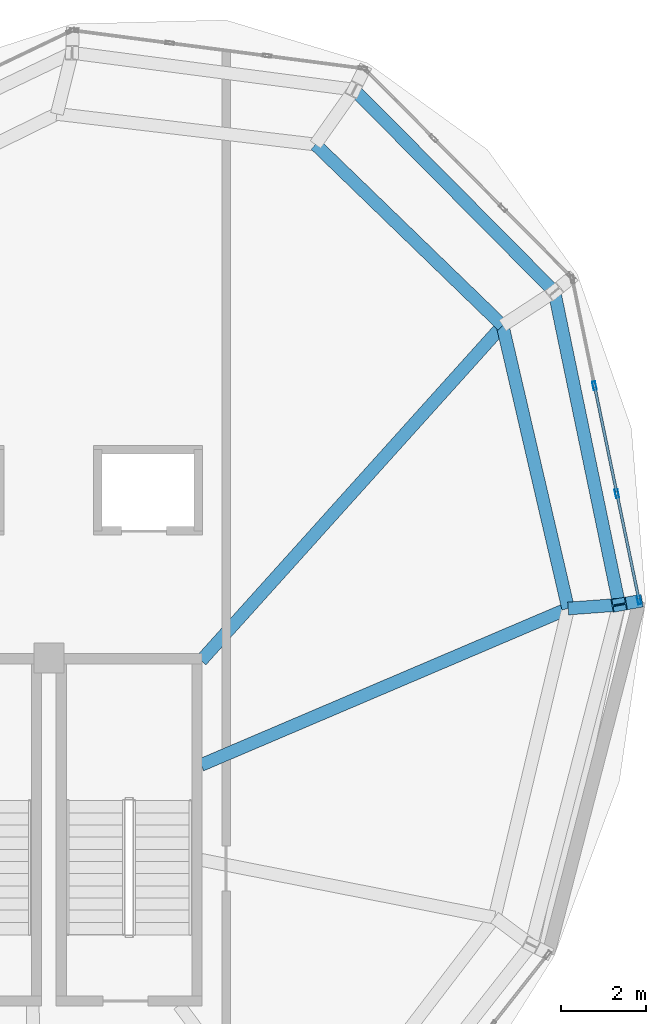
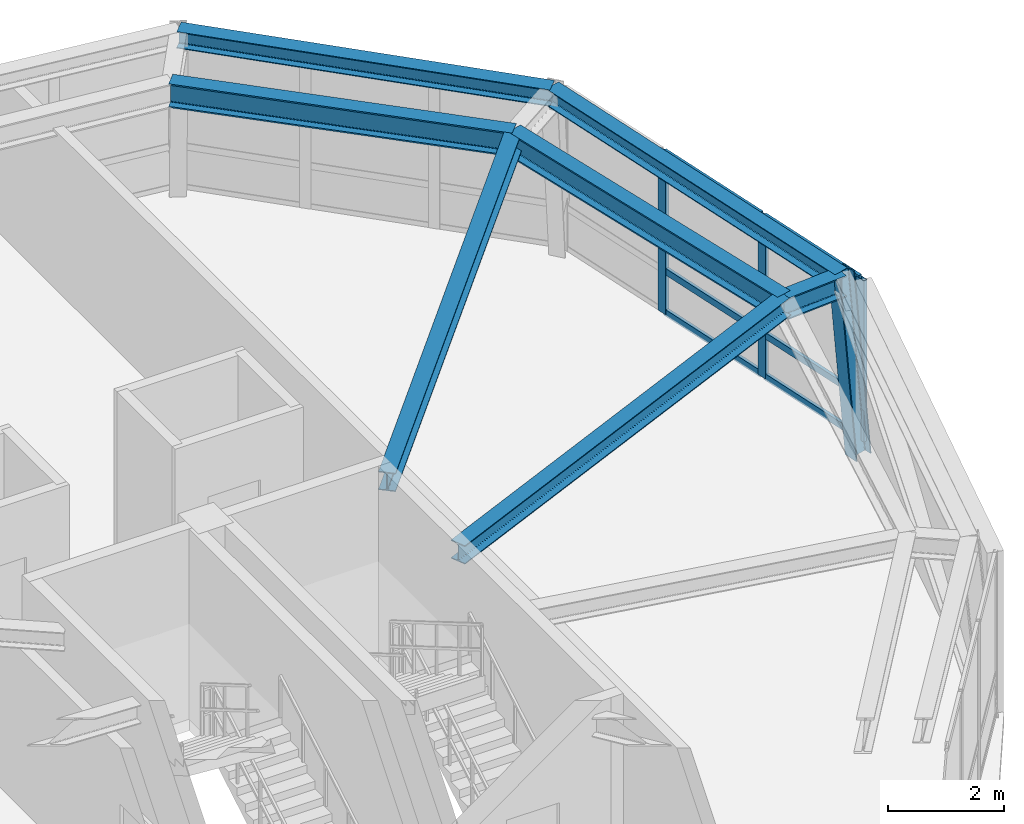
# One storey, part 7 of 11: 10 members, 7 beams, 1 element without a shape of its own.
"""IFC4 building model written with IfcOpenShell, lengths in metres."""

from ifc_helpers import new_model, si_unit, direction, frame, origin, origin_2d, place, context, subcontext, project, spatial, hollow_rectangle, i_section, extrude, material, layer, layer_set, material_profile, profile_set, type_object, element, aggregate, save


model = new_model("IFC4")

# Units and contexts
model_context = context("Model", 3, precision=1e-05, world=origin(), true_north=direction((0.0, 1.0)))
body_context = subcontext(model_context, "Body", "Model", "MODEL_VIEW")
ifc_project = project(units=[si_unit("LENGTHUNIT", "METRE"), si_unit("AREAUNIT", "SQUARE_METRE"), si_unit("VOLUMEUNIT", "CUBIC_METRE"), si_unit("PLANEANGLEUNIT", "RADIAN"), si_unit("MASSUNIT", "GRAM", prefix="KILO"), si_unit("THERMODYNAMICTEMPERATUREUNIT", "KELVIN"), si_unit("POWERUNIT", "WATT")], contexts=[model_context])

# Site, building, storey
site_placement = place(None, origin())
site = spatial("IfcSite", under=ifc_project, at=site_placement, CompositionType="ELEMENT")
building_placement = place(site_placement, origin())
building = spatial("IfcBuilding", under=site, at=building_placement, Name="Ocrelia Relay Tower", CompositionType="ELEMENT")
storey_placement = place(building_placement, frame((0.0, 0.0, 292.0)))
storey = spatial("IfcBuildingStorey", under=building, at=storey_placement, Name="L73", CompositionType="ELEMENT", Elevation=292.0)

# Beams
ifc_material_1 = material(Name="Steel S355", Category="steel")
ifc_material_profile_1 = material_profile(ifc_material_1, i_section(OverallWidth=0.300048828125, OverallDepth=0.35009765625, WebThickness=0.010009765625, FlangeThickness=0.017578125, FilletRadius=0.027099609375, at=origin_2d()), Name="HEA 360")
ifc_profile_set_1 = profile_set([ifc_material_profile_1], Name="Steel S355")
beam_type_1 = type_object("IfcBeamType", Name="BM-HEA360", PredefinedType="SPANDREL", material=ifc_profile_set_1)
beam_1_placement = place(storey_placement, frame((47.351318359375, 28.370361328125, 3.574951171875), z_axis=(-0.202768506348, 0.97922670145, 0.0), x_axis=(-0.97922670145, -0.202768506348, 0.0)))
element("IfcBeam", 1, at=beam_1_placement, inside=storey, type_object=beam_type_1, Name="L73 Crown Faceted Ring Beam R11", PredefinedType="SPANDREL", context=body_context, shape_type="SweptSolid", body=[
    extrude(i_section(OverallWidth=0.300048828125, OverallDepth=0.35009765625, WebThickness=0.010009765625, FlangeThickness=0.017578125, FilletRadius=0.027099609375, at=origin_2d()), origin(), (0.0, 0.0, 1.0), 7.483154296875),
])
beam_2_placement = place(storey_placement, frame((45.833984375, 35.697998046875, 3.574951171875), z_axis=(-0.704001975222, 0.710198013855, 0.0), x_axis=(-0.710198013855, -0.704001975222, 0.0)))
element("IfcBeam", 2, at=beam_2_placement, inside=storey, type_object=beam_type_1, Name="L73 Crown Faceted Ring Beam R12", PredefinedType="SPANDREL", context=body_context, shape_type="SweptSolid", body=[
    extrude(i_section(OverallWidth=0.300048828125, OverallDepth=0.35009765625, WebThickness=0.010009765625, FlangeThickness=0.017578125, FilletRadius=0.027099609375, at=origin_2d()), origin(), (0.0, 0.0, 1.0), 6.658935546875),
])
ifc_material_profile_2 = material_profile(ifc_material_1, i_section(OverallWidth=0.300048828125, OverallDepth=0.389892578125, WebThickness=0.010986328125, FlangeThickness=0.01904296875, FilletRadius=0.027099609375, at=origin_2d()), Name="HEA 400")
ifc_profile_set_2 = profile_set([ifc_material_profile_2], Name="Steel S355")
beam_type_2 = type_object("IfcBeamType", Name="BM-HEA400", PredefinedType="SPANDREL", material=ifc_profile_set_2)
beam_3_placement = place(storey_placement, frame((46.15625, 28.28125, 3.554931640625), z_axis=(-0.919923419219, -0.392098078001, 0.0), x_axis=(0.392098078001, -0.919923419219, 0.0)))
element("IfcBeam", 3, at=beam_3_placement, inside=storey, type_object=beam_type_2, Name="L73 Crown Radial Floor Beam 11", PredefinedType="SPANDREL", context=body_context, shape_type="SweptSolid", body=[
    extrude(i_section(OverallWidth=0.300048828125, OverallDepth=0.389892578125, WebThickness=0.010986328125, FlangeThickness=0.01904296875, FilletRadius=0.027099609375, at=origin_2d()), origin(), (0.0, 0.0, 1.0), 9.339111328125),
])
beam_4_placement = place(storey_placement, frame((44.62158203125, 34.905517578125, 3.554931640625), z_axis=(-0.668856053122, -0.743391942519, 0.0), x_axis=(0.743391942519, -0.668856053122, 0.0)))
element("IfcBeam", 4, at=beam_4_placement, inside=storey, type_object=beam_type_2, Name="L73 Crown Radial Floor Beam 12", PredefinedType="SPANDREL", context=body_context, shape_type="SweptSolid", body=[
    extrude(i_section(OverallWidth=0.300048828125, OverallDepth=0.389892578125, WebThickness=0.010986328125, FlangeThickness=0.01904296875, FilletRadius=0.027099609375, at=origin_2d()), origin(), (0.0, 0.0, 1.0), 10.55029296875),
])
ifc_material_profile_3 = material_profile(ifc_material_1, i_section(OverallWidth=0.300048828125, OverallDepth=0.449951171875, WebThickness=0.013916015625, FlangeThickness=0.02587890625, FilletRadius=0.027099609375, at=origin_2d()), Name="HEB 450")
ifc_profile_set_3 = profile_set([ifc_material_profile_3], Name="Steel S355")
beam_type_3 = type_object("IfcBeamType", Name="BM-HEB450", PredefinedType="BEAM", material=ifc_profile_set_3)
beam_5_placement = place(storey_placement, frame((47.351318359375, 28.370361328125, 3.52490234375), z_axis=(-0.997231503946, -0.0743594482, 0.0), x_axis=(0.0743594482, -0.997231503946, 0.0)))
element("IfcBeam", 5, at=beam_5_placement, inside=storey, type_object=beam_type_3, Name="L73 Crown Step Radial Beam ST11", PredefinedType="BEAM", context=body_context, shape_type="SweptSolid", body=[
    extrude(i_section(OverallWidth=0.300048828125, OverallDepth=0.449951171875, WebThickness=0.013916015625, FlangeThickness=0.02587890625, FilletRadius=0.027099609375, at=origin_2d()), origin(), (0.0, 0.0, 1.0), 1.198486328125),
])
ifc_material_profile_4 = material_profile(ifc_material_1, i_section(OverallWidth=0.300048828125, OverallDepth=0.5, WebThickness=0.014404296875, FlangeThickness=0.028076171875, FilletRadius=0.027099609375, at=origin_2d()), Name="HEB 500")
ifc_profile_set_4 = profile_set([ifc_material_profile_4], Name="Steel S355")
beam_type_4 = type_object("IfcBeamType", Name="BM-HEB500", PredefinedType="BEAM", material=ifc_profile_set_4)
beam_6_placement = place(storey_placement, frame((46.15625, 28.28125, 3.5), z_axis=(-0.225695918865, 0.974197799324, 0.0), x_axis=(-0.974197799324, -0.225695918865, 0.0)))
element("IfcBeam", 6, at=beam_6_placement, inside=storey, type_object=beam_type_4, Name="L73 Crown Step Perimeter Ring Beam SR11", PredefinedType="BEAM", context=body_context, shape_type="SweptSolid", body=[
    extrude(i_section(OverallWidth=0.300048828125, OverallDepth=0.5, WebThickness=0.014404296875, FlangeThickness=0.028076171875, FilletRadius=0.027099609375, at=origin_2d()), origin(), (0.0, 0.0, 1.0), 6.7998046875),
])
beam_7_placement = place(storey_placement, frame((44.62158203125, 34.905517578125, 3.5), z_axis=(-0.718706091524, 0.695313996699, 0.0), x_axis=(-0.695313996699, -0.718706091524, 0.0)))
element("IfcBeam", 7, at=beam_7_placement, inside=storey, type_object=beam_type_4, Name="L73 Crown Step Perimeter Ring Beam SR12", PredefinedType="BEAM", context=body_context, shape_type="SweptSolid", body=[
    extrude(i_section(OverallWidth=0.300048828125, OverallDepth=0.5, WebThickness=0.014404296875, FlangeThickness=0.028076171875, FilletRadius=0.027099609375, at=origin_2d()), origin(), (0.0, 0.0, 1.0), 6.09521484375),
])

# Curtain wall, members
ifc_material_2 = material(Name="Aluminium and solar-control low-E glass", Category="aluminium")
ifc_layer = layer(ifc_material_2, 0.179931640625, Name="Aluminium and solar-control low-E glass")
ifc_layer_set = layer_set([ifc_layer], Name="Aluminium and solar-control low-E glass")
curtain_wall_type = type_object("IfcCurtainWallType", Name="CW-SYS-CROWN-PT", PredefinedType="NOTDEFINED", material=ifc_layer_set)
curtain_wall_placement = place(storey_placement, origin())
curtain_wall = element("IfcCurtainWall", 8, at=curtain_wall_placement, inside=storey, type_object=curtain_wall_type, Name="L73 Faceted Glass-Point Crown Curtain Wall 11", PredefinedType="NOTDEFINED")
ifc_material_3 = material(Name="Anodised bronze aluminium", Category="aluminium")
ifc_material_profile_5 = material_profile(ifc_material_3, hollow_rectangle(XDim=0.074951171875, YDim=0.199951171875, WallThickness=0.006103515625, at=origin_2d()), Name="CW-MUL-200x75")
ifc_profile_set_5 = profile_set([ifc_material_profile_5], Name="Anodised bronze aluminium")
member_type_1 = type_object("IfcMemberType", Name="CW-SYS-CROWN-PT-MUL", PredefinedType="MULLION", material=ifc_profile_set_5)
member_1_placement = place(storey_placement, frame((47.81494140625, 28.48046875, 0.0), z_axis=(0.0, 0.0, 1.0), x_axis=(-0.979083868397, -0.203457068306, 0.0)))
member_1 = element("IfcMember", 9, at=member_1_placement, type_object=member_type_1, Name="CW-CR mullion 1", PredefinedType="MULLION", context=body_context, shape_type="SweptSolid", body=[
    extrude(hollow_rectangle(XDim=0.074951171875, YDim=0.199951171875, WallThickness=0.006103515625, at=origin_2d()), origin(), (0.0, 0.0, 1.0), 3.389892578125),
])
member_2_placement = place(storey_placement, frame((47.29736328125, 30.970947265625, 0.0), z_axis=(0.0, 0.0, 1.0), x_axis=(-0.979083868397, -0.203457068306, 0.0)))
member_2 = element("IfcMember", 10, at=member_2_placement, type_object=member_type_1, Name="CW-CR mullion 2", PredefinedType="MULLION", context=body_context, shape_type="SweptSolid", body=[
    extrude(hollow_rectangle(XDim=0.074951171875, YDim=0.199951171875, WallThickness=0.006103515625, at=origin_2d()), origin(), (0.0, 0.0, 1.0), 3.389892578125),
])
member_3_placement = place(storey_placement, frame((46.772216796875, 33.498046875, 0.0), z_axis=(0.0, 0.0, 1.0), x_axis=(-0.979083868397, -0.203457068306, 0.0)))
member_3 = element("IfcMember", 11, at=member_3_placement, type_object=member_type_1, Name="CW-CR mullion 3", PredefinedType="MULLION", context=body_context, shape_type="SweptSolid", body=[
    extrude(hollow_rectangle(XDim=0.074951171875, YDim=0.199951171875, WallThickness=0.006103515625, at=origin_2d()), origin(), (0.0, 0.0, 1.0), 3.389892578125),
])
ifc_material_profile_6 = material_profile(ifc_material_3, hollow_rectangle(XDim=0.06494140625, YDim=0.139892578125, WallThickness=0.0048828125, at=origin_2d()), Name="CW-TRN-140x65")
ifc_profile_set_6 = profile_set([ifc_material_profile_6], Name="Anodised bronze aluminium")
member_type_2 = type_object("IfcMemberType", Name="CW-SYS-CROWN-PT-TRN", PredefinedType="USERDEFINED", material=ifc_profile_set_6)
member_4_placement = place(storey_placement, frame((47.80712890625, 28.517333984375, 0.032470703125), z_axis=(-0.203452613544, 0.979084794102, 0.0), x_axis=(-0.979084794102, -0.203452613544, 0.0)))
member_4 = element("IfcMember", 12, at=member_4_placement, type_object=member_type_2, Name="CW-CR transom 1.1", ObjectType="TRANSOM", PredefinedType="USERDEFINED", context=body_context, shape_type="SweptSolid", body=[
    extrude(hollow_rectangle(XDim=0.06494140625, YDim=0.139892578125, WallThickness=0.0048828125, at=origin_2d()), origin(), (0.0, 0.0, 1.0), 2.46826171875),
])
member_5_placement = place(storey_placement, frame((47.80712890625, 28.517333984375, 0.89990234375), z_axis=(-0.203452613544, 0.979084794102, 0.0), x_axis=(-0.979084794102, -0.203452613544, 0.0)))
member_5 = element("IfcMember", 13, at=member_5_placement, type_object=member_type_2, Name="CW-CR transom 1.2", ObjectType="TRANSOM", PredefinedType="USERDEFINED", context=body_context, shape_type="SweptSolid", body=[
    extrude(hollow_rectangle(XDim=0.06494140625, YDim=0.139892578125, WallThickness=0.0048828125, at=origin_2d()), origin(), (0.0, 0.0, 1.0), 2.46826171875),
])
member_6_placement = place(storey_placement, frame((47.80712890625, 28.517333984375, 3.357421875), z_axis=(-0.203452613544, 0.979084794102, 0.0), x_axis=(-0.979084794102, -0.203452613544, 0.0)))
member_6 = element("IfcMember", 14, at=member_6_placement, type_object=member_type_2, Name="CW-CR transom 1.3", ObjectType="TRANSOM", PredefinedType="USERDEFINED", context=body_context, shape_type="SweptSolid", body=[
    extrude(hollow_rectangle(XDim=0.06494140625, YDim=0.139892578125, WallThickness=0.0048828125, at=origin_2d()), origin(), (0.0, 0.0, 1.0), 2.46826171875),
])
member_7_placement = place(storey_placement, frame((47.289794921875, 31.007568359375, 0.032470703125), z_axis=(-0.203510736367, 0.979072714451, 0.0), x_axis=(-0.979072714451, -0.203510736367, 0.0)))
member_7 = element("IfcMember", 15, at=member_7_placement, type_object=member_type_2, Name="CW-CR transom 2.1", ObjectType="TRANSOM", PredefinedType="USERDEFINED", context=body_context, shape_type="SweptSolid", body=[
    extrude(hollow_rectangle(XDim=0.06494140625, YDim=0.139892578125, WallThickness=0.0048828125, at=origin_2d()), origin(), (0.0, 0.0, 1.0), 2.506103515625),
])
member_8_placement = place(storey_placement, frame((47.289794921875, 31.007568359375, 0.89990234375), z_axis=(-0.203510736367, 0.979072714451, 0.0), x_axis=(-0.979072714451, -0.203510736367, 0.0)))
member_8 = element("IfcMember", 16, at=member_8_placement, type_object=member_type_2, Name="CW-CR transom 2.2", ObjectType="TRANSOM", PredefinedType="USERDEFINED", context=body_context, shape_type="SweptSolid", body=[
    extrude(hollow_rectangle(XDim=0.06494140625, YDim=0.139892578125, WallThickness=0.0048828125, at=origin_2d()), origin(), (0.0, 0.0, 1.0), 2.506103515625),
])
member_9_placement = place(storey_placement, frame((47.289794921875, 31.007568359375, 3.357421875), z_axis=(-0.203510736367, 0.979072714451, 0.0), x_axis=(-0.979072714451, -0.203510736367, 0.0)))
member_9 = element("IfcMember", 17, at=member_9_placement, type_object=member_type_2, Name="CW-CR transom 2.3", ObjectType="TRANSOM", PredefinedType="USERDEFINED", context=body_context, shape_type="SweptSolid", body=[
    extrude(hollow_rectangle(XDim=0.06494140625, YDim=0.139892578125, WallThickness=0.0048828125, at=origin_2d()), origin(), (0.0, 0.0, 1.0), 2.506103515625),
])
aggregate(curtain_wall, [member_1, member_2, member_3, member_4, member_5, member_6, member_7, member_8, member_9])

# Member
ifc_material_profile_7 = material_profile(ifc_material_1, i_section(OverallWidth=0.300048828125, OverallDepth=0.340087890625, WebThickness=0.011962890625, FlangeThickness=0.021484375, FilletRadius=0.027099609375, at=origin_2d()), Name="HEB 340")
ifc_profile_set_7 = profile_set([ifc_material_profile_7], Name="Steel S355")
member_type_3 = type_object("IfcMemberType", Name="MB-CROWN-RIB", PredefinedType="STRUT", material=ifc_profile_set_7)
member_10_placement = place(storey_placement, frame((47.72265625, 28.4375, -0.25), z_axis=(-0.092424098122, -0.01671047139, 0.995579502718), x_axis=(0.177917480548, -0.984045410596, 0.0)))
element("IfcMember", 18, at=member_10_placement, inside=storey, type_object=member_type_3, Name="L73 Crown Faceted Structural Strut Rib CR11", PredefinedType="STRUT", context=body_context, shape_type="SweptSolid", body=[
    extrude(i_section(OverallWidth=0.300048828125, OverallDepth=0.340087890625, WebThickness=0.011962890625, FlangeThickness=0.021484375, FilletRadius=0.027099609375, at=origin_2d()), origin(), (0.0, 0.0, 1.0), 4.017822265625),
])

save(model, "model.ifc")
